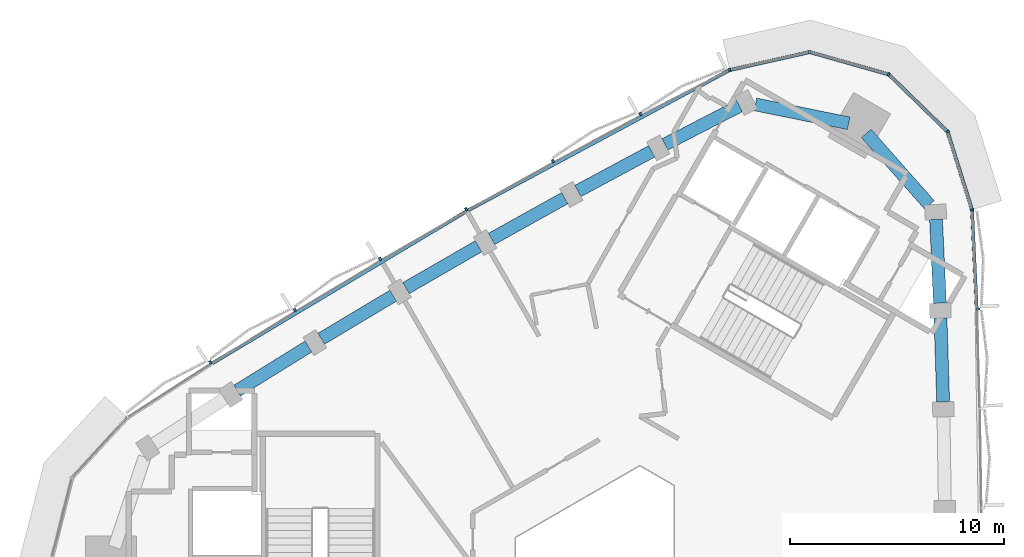
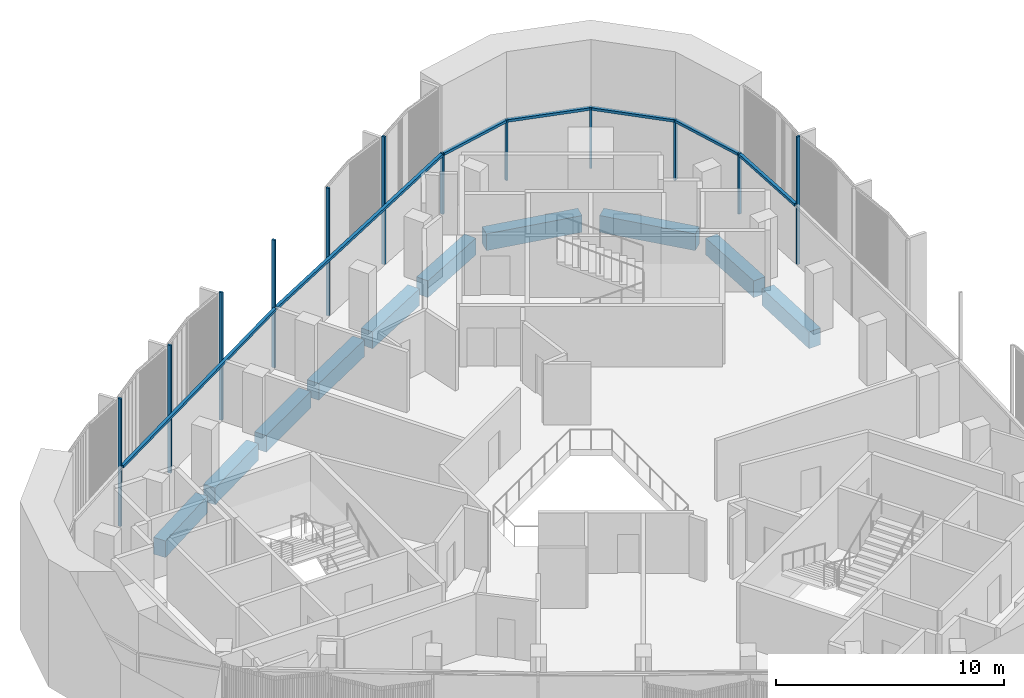
# One storey, part 4 of 13: 19 members, 10 beams, 2 elements without a shape of their own.
"""IFC4 building model written with IfcOpenShell, lengths in metres."""

from ifc_helpers import new_model, si_unit, direction, frame, origin, origin_2d, place, context, subcontext, project, spatial, rectangle, extrude, material, material_profile, profile_set, type_object, element, aggregate, save


model = new_model("IFC4")

# Units and contexts
model_context = context("Model", 3, precision=1e-05, world=origin(), true_north=direction((0.0, 1.0)))
body_context = subcontext(model_context, "Body", "Model", "MODEL_VIEW")
ifc_project = project(units=[si_unit("LENGTHUNIT", "METRE"), si_unit("AREAUNIT", "SQUARE_METRE"), si_unit("VOLUMEUNIT", "CUBIC_METRE"), si_unit("PLANEANGLEUNIT", "RADIAN"), si_unit("MASSUNIT", "GRAM", prefix="KILO")], contexts=[model_context])

# Site, building, storey
site_placement = place(None, origin())
site = spatial("IfcSite", under=ifc_project, at=site_placement, CompositionType="ELEMENT")
building_placement = place(site_placement, origin())
building = spatial("IfcBuilding", under=site, at=building_placement, Name="Tamra Quay Hotel Tower", CompositionType="ELEMENT")
storey_placement = place(building_placement, frame((0.0, 0.0, 291.0)))
storey = spatial("IfcBuildingStorey", under=building, at=storey_placement, Name="L73", CompositionType="ELEMENT", Elevation=291.0)

# Curtain wall, members
ifc_material_1 = material(Name="Aluminium 6063 anodised dark grey", Category="aluminium")
curtain_wall_type_1 = type_object("IfcCurtainWallType", Name="CW1 CURTAIN WALL", PredefinedType="NOTDEFINED", material=ifc_material_1)
curtain_wall_1_placement = place(storey_placement, origin())
curtain_wall_1 = element("IfcCurtainWall", 1, at=curtain_wall_1_placement, inside=storey, type_object=curtain_wall_type_1, Name="CW1 east face L73", PredefinedType="NOTDEFINED")
ifc_material_profile_1 = material_profile(ifc_material_1, rectangle(XDim=0.159912109375, YDim=0.10009765625, at=origin_2d()), Name="MULLION 100X160")
ifc_profile_set_1 = profile_set([ifc_material_profile_1], Name="Aluminium 6063 anodised dark grey")
member_type_1 = type_object("IfcMemberType", Name="MULLION CW1 Z6", PredefinedType="MULLION", material=ifc_profile_set_1)
member_1_placement = place(storey_placement, frame((17.19677734375, 11.583984375, 0.0), z_axis=(0.0, 0.0, 1.0), x_axis=(0.999237932992, 0.039032720501, 0.0)))
member_1 = element("IfcMember", 2, at=member_1_placement, type_object=member_type_1, Name="CW1 mullion L73.E.7", PredefinedType="MULLION", context=body_context, shape_type="SweptSolid", body=[
    extrude(rectangle(XDim=0.159912109375, YDim=0.10009765625, at=origin_2d()), origin(), (0.0, 0.0, 1.0), 6.85009765625),
])
member_2_placement = place(storey_placement, frame((16.89990234375, 16.210205078125, 0.0), z_axis=(0.0, 0.0, 1.0), x_axis=(0.984739919862, 0.174032440167, 0.0)))
member_2 = element("IfcMember", 3, at=member_2_placement, type_object=member_type_1, Name="CW1 mullion L73.E.8", PredefinedType="MULLION", context=body_context, shape_type="SweptSolid", body=[
    extrude(rectangle(XDim=0.159912109375, YDim=0.10009765625, at=origin_2d()), origin(), (0.0, 0.0, 1.0), 3.25),
])
member_3_placement = place(storey_placement, frame((15.757080078125, 19.865966796875, 0.0), z_axis=(0.0, 0.0, 1.0), x_axis=(0.851964184595, 0.523600065094, 0.0)))
member_3 = element("IfcMember", 4, at=member_3_placement, type_object=member_type_1, Name="CW1 mullion L73.E.9", PredefinedType="MULLION", context=body_context, shape_type="SweptSolid", body=[
    extrude(rectangle(XDim=0.159912109375, YDim=0.10009765625, at=origin_2d()), origin(), (0.0, 0.0, 1.0), 3.25),
])
member_4_placement = place(storey_placement, frame((13.01171875, 22.536865234375, 0.0), z_axis=(0.0, 0.0, 1.0), x_axis=(0.5, 0.866025403784, 0.0)))
member_4 = element("IfcMember", 5, at=member_4_placement, type_object=member_type_1, Name="CW1 mullion L73.E.10", PredefinedType="MULLION", context=body_context, shape_type="SweptSolid", body=[
    extrude(rectangle(XDim=0.159912109375, YDim=0.10009765625, at=origin_2d()), origin(), (0.0, 0.0, 1.0), 3.25),
])
member_5_placement = place(storey_placement, frame((9.325927734375, 23.578857421875, 0.0), z_axis=(0.0, 0.0, 1.0), x_axis=(0.027468865497, 0.999622659521, 0.0)))
member_5 = element("IfcMember", 6, at=member_5_placement, type_object=member_type_1, Name="CW1 mullion L73.E.11", PredefinedType="MULLION", context=body_context, shape_type="SweptSolid", body=[
    extrude(rectangle(XDim=0.159912109375, YDim=0.10009765625, at=origin_2d()), origin(), (0.0, 0.0, 1.0), 3.25),
])

curtain_wall_type_2 = type_object("IfcCurtainWallType", Name="CW2 CURTAIN WALL", PredefinedType="NOTDEFINED", material=ifc_material_1)
curtain_wall_2_placement = place(storey_placement, origin())
curtain_wall_2 = element("IfcCurtainWall", 7, at=curtain_wall_2_placement, inside=storey, type_object=curtain_wall_type_2, Name="CW2 north-west face L73", PredefinedType="NOTDEFINED")
ifc_material_profile_2 = material_profile(ifc_material_1, rectangle(XDim=0.159912109375, YDim=0.10009765625, at=origin_2d()), Name="MULLION 100X160")
ifc_profile_set_2 = profile_set([ifc_material_profile_2], Name="Aluminium 6063 anodised dark grey")
member_type_2 = type_object("IfcMemberType", Name="MULLION CW2 Z6", PredefinedType="MULLION", material=ifc_profile_set_2)
member_6_placement = place(storey_placement, frame((5.588623046875, 22.740966796875, 0.0), z_axis=(0.0, 0.0, 1.0), x_axis=(-0.341653445664, 0.939826006804, 0.0)))
member_6 = element("IfcMember", 8, at=member_6_placement, type_object=member_type_2, Name="CW2 mullion L73.NW.1", PredefinedType="MULLION", context=body_context, shape_type="SweptSolid", body=[
    extrude(rectangle(XDim=0.159912109375, YDim=0.10009765625, at=origin_2d()), origin(), (0.0, 0.0, 1.0), 3.25),
])
member_7_placement = place(storey_placement, frame((1.43359375, 20.684814453125, 0.0), z_axis=(0.0, 0.0, 1.0), x_axis=(-0.465815638963, 0.884881794647, 0.0)))
member_7 = element("IfcMember", 9, at=member_7_placement, type_object=member_type_2, Name="CW2 mullion L73.NW.2", PredefinedType="MULLION", context=body_context, shape_type="SweptSolid", body=[
    extrude(rectangle(XDim=0.159912109375, YDim=0.10009765625, at=origin_2d()), origin(), (0.0, 0.0, 1.0), 6.85009765625),
])
member_8_placement = place(storey_placement, frame((-2.650146484375, 18.494384765625, 0.0), z_axis=(0.0, 0.0, 1.0), x_axis=(-0.479564906203, 0.877506410654, 0.0)))
member_8 = element("IfcMember", 10, at=member_8_placement, type_object=member_type_2, Name="CW2 mullion L73.NW.3", PredefinedType="MULLION", context=body_context, shape_type="SweptSolid", body=[
    extrude(rectangle(XDim=0.159912109375, YDim=0.10009765625, at=origin_2d()), origin(), (0.0, 0.0, 1.0), 6.85009765625),
])
member_9_placement = place(storey_placement, frame((-6.699951171875, 16.23974609375, 0.0), z_axis=(0.0, 0.0, 1.0), x_axis=(-0.493215493305, 0.869907165831, 0.0)))
member_9 = element("IfcMember", 11, at=member_9_placement, type_object=member_type_2, Name="CW2 mullion L73.NW.4", PredefinedType="MULLION", context=body_context, shape_type="SweptSolid", body=[
    extrude(rectangle(XDim=0.159912109375, YDim=0.10009765625, at=origin_2d()), origin(), (0.0, 0.0, 1.0), 6.85009765625),
])
member_10_placement = place(storey_placement, frame((-10.714111328125, 13.92236328125, 0.0), z_axis=(0.0, 0.0, 1.0), x_axis=(-0.506753957891, 0.862090729658, 0.0)))
member_10 = element("IfcMember", 12, at=member_10_placement, type_object=member_type_2, Name="CW2 mullion L73.NW.5", PredefinedType="MULLION", context=body_context, shape_type="SweptSolid", body=[
    extrude(rectangle(XDim=0.159912109375, YDim=0.10009765625, at=origin_2d()), origin(), (0.0, 0.0, 1.0), 6.85009765625),
])
member_11_placement = place(storey_placement, frame((-14.691650390625, 11.542236328125, 0.0), z_axis=(0.0, 0.0, 1.0), x_axis=(-0.520160390508, 0.854068596862, 0.0)))
member_11 = element("IfcMember", 13, at=member_11_placement, type_object=member_type_2, Name="CW2 mullion L73.NW.6", PredefinedType="MULLION", context=body_context, shape_type="SweptSolid", body=[
    extrude(rectangle(XDim=0.159912109375, YDim=0.10009765625, at=origin_2d()), origin(), (0.0, 0.0, 1.0), 6.85009765625),
])
member_12_placement = place(storey_placement, frame((-18.630615234375, 9.100830078125, 0.0), z_axis=(0.0, 0.0, 1.0), x_axis=(-0.533422294029, 0.845849074146, 0.0)))
member_12 = element("IfcMember", 14, at=member_12_placement, type_object=member_type_2, Name="CW2 mullion L73.NW.7", PredefinedType="MULLION", context=body_context, shape_type="SweptSolid", body=[
    extrude(rectangle(XDim=0.159912109375, YDim=0.10009765625, at=origin_2d()), origin(), (0.0, 0.0, 1.0), 6.85009765625),
])

# Beams
ifc_material_2 = material(Name="Concrete M60", Category="concrete")
ifc_material_profile_3 = material_profile(ifc_material_2, rectangle(XDim=0.60009765625, YDim=0.89990234375, at=origin_2d()), Name="SPANDREL BEAM RC 600x900")
ifc_profile_set_3 = profile_set([ifc_material_profile_3], Name="Concrete M60")
beam_type = type_object("IfcBeamType", Name="SPANDREL BEAM RC 600x900", PredefinedType="SPANDREL", material=ifc_profile_set_3)
beam_1_placement = place(storey_placement, frame((15.55126953125, 7.259765625, -0.800048828125), z_axis=(-0.031240604276, 0.999511893198, 0.0), x_axis=(-0.999511893198, -0.031240604276, 0.0)))
element("IfcBeam", 15, at=beam_1_placement, inside=storey, type_object=beam_type, Name="BM-SP6-005-L73", PredefinedType="SPANDREL", context=body_context, shape_type="SweptSolid", body=[
    extrude(rectangle(XDim=0.60009765625, YDim=0.89990234375, at=origin_2d()), origin(), (0.0, 0.0, 1.0), 3.907470703125),
])
beam_2_placement = place(storey_placement, frame((15.40185546875, 11.86474609375, -0.800048828125), z_axis=(-0.04680507522, 0.998904041905, 0.0), x_axis=(-0.998904041905, -0.04680507522, 0.0)))
element("IfcBeam", 16, at=beam_2_placement, inside=storey, type_object=beam_type, Name="BM-SP6-006-L73", PredefinedType="SPANDREL", context=body_context, shape_type="SweptSolid", body=[
    extrude(rectangle(XDim=0.60009765625, YDim=0.89990234375, at=origin_2d()), origin(), (0.0, 0.0, 1.0), 3.906982421875),
])
beam_3_placement = place(storey_placement, frame((14.9072265625, 16.451171875, -0.800048828125), z_axis=(-0.661856103448, 0.749630908066, 0.0), x_axis=(-0.749630908066, -0.661856103448, 0.0)))
element("IfcBeam", 17, at=beam_3_placement, inside=storey, type_object=beam_type, Name="BM-SP6-007-L73", PredefinedType="SPANDREL", context=body_context, shape_type="SweptSolid", body=[
    extrude(rectangle(XDim=0.60009765625, YDim=0.89990234375, at=origin_2d()), origin(), (0.0, 0.0, 1.0), 4.44189453125),
])
beam_4_placement = place(storey_placement, frame((11.146728515625, 20.25439453125, -0.800048828125), z_axis=(-0.980114952618, 0.198430541133, 0.0), x_axis=(-0.198430541133, -0.980114952618, 0.0)))
element("IfcBeam", 18, at=beam_4_placement, inside=storey, type_object=beam_type, Name="BM-SP6-008-L73", PredefinedType="SPANDREL", context=body_context, shape_type="SweptSolid", body=[
    extrude(rectangle(XDim=0.60009765625, YDim=0.89990234375, at=origin_2d()), origin(), (0.0, 0.0, 1.0), 4.441650390625),
])
beam_5_placement = place(storey_placement, frame((6.04541015625, 21.063720703125, -0.800048828125), z_axis=(-0.888476019227, -0.458923047208, 0.0), x_axis=(0.458923047208, -0.888476019227, 0.0)))
element("IfcBeam", 19, at=beam_5_placement, inside=storey, type_object=beam_type, Name="BM-SP6-009-L73", PredefinedType="SPANDREL", context=body_context, shape_type="SweptSolid", body=[
    extrude(rectangle(XDim=0.60009765625, YDim=0.89990234375, at=origin_2d()), origin(), (0.0, 0.0, 1.0), 3.906982421875),
])
beam_6_placement = place(storey_placement, frame((1.954833984375, 18.944580078125, -0.800048828125), z_axis=(-0.88123835064, -0.472672158437, 0.0), x_axis=(0.472672158437, -0.88123835064, 0.0)))
element("IfcBeam", 20, at=beam_6_placement, inside=storey, type_object=beam_type, Name="BM-SP6-010-L73", PredefinedType="SPANDREL", context=body_context, shape_type="SweptSolid", body=[
    extrude(rectangle(XDim=0.60009765625, YDim=0.89990234375, at=origin_2d()), origin(), (0.0, 0.0, 1.0), 3.907470703125),
])
for number, where, z_axis, x_axis, name in (
    (21, (-2.102783203125, 16.761962890625, -0.800048828125), (-0.873726581477, -0.486417373066, 0.0), (0.486417373066, -0.873726581477, 0.0), "BM-SP6-011-L73"),
    (22, (-6.125244140625, 14.516357421875, -0.800048828125), (-0.866011803689, -0.500023555316, 0.0), (0.500023555316, -0.866011803689, 0.0), "BM-SP6-012-L73"),
):
    element("IfcBeam", number, at=place(storey_placement, frame(where, z_axis=z_axis, x_axis=x_axis)), inside=storey, type_object=beam_type, Name=name, PredefinedType="SPANDREL", context=body_context, shape_type="SweptSolid", body=[
        extrude(rectangle(XDim=0.60009765625, YDim=0.89990234375, at=origin_2d()), origin(), (0.0, 0.0, 1.0), 3.906982421875),
    ])
beam_7_placement = place(storey_placement, frame((-10.1123046875, 12.2080078125, -0.800048828125), z_axis=(-0.858120821909, -0.513447811376, 0.0), x_axis=(0.513447811376, -0.858120821909, 0.0)))
element("IfcBeam", 23, at=beam_7_placement, inside=storey, type_object=beam_type, Name="BM-SP6-013-L73", PredefinedType="SPANDREL", context=body_context, shape_type="SweptSolid", body=[
    extrude(rectangle(XDim=0.60009765625, YDim=0.89990234375, at=origin_2d()), origin(), (0.0, 0.0, 1.0), 3.9072265625),
])
beam_8_placement = place(storey_placement, frame((-14.062744140625, 9.837890625, -0.800048828125), z_axis=(-0.849972078006, -0.526827739029, 0.0), x_axis=(0.526827739029, -0.849972078006, 0.0)))
element("IfcBeam", 24, at=beam_8_placement, inside=storey, type_object=beam_type, Name="BM-SP6-014-L73", PredefinedType="SPANDREL", context=body_context, shape_type="SweptSolid", body=[
    extrude(rectangle(XDim=0.60009765625, YDim=0.89990234375, at=origin_2d()), origin(), (0.0, 0.0, 1.0), 3.907470703125),
])

# Member
ifc_material_profile_4 = material_profile(ifc_material_1, rectangle(XDim=0.159912109375, YDim=0.139892578125, at=origin_2d()), Name="TRANSOM 160X140")
ifc_profile_set_4 = profile_set([ifc_material_profile_4], Name="Aluminium 6063 anodised dark grey")
member_type_3 = type_object("IfcMemberType", Name="TRANSOM CW1 Z6", PredefinedType="USERDEFINED", material=ifc_profile_set_4)
member_13_placement = place(storey_placement, frame((17.114501953125, 11.630859375, 3.179931640625), z_axis=(-0.046787491417, 0.998904865664, 0.0), x_axis=(-0.998904865664, -0.046787491417, 0.0)))
member_13 = element("IfcMember", 25, at=member_13_placement, type_object=member_type_3, Name="CW1 transom L73.E.7", ObjectType="TRANSOM", PredefinedType="USERDEFINED", context=body_context, shape_type="SweptSolid", body=[
    extrude(rectangle(XDim=0.159912109375, YDim=0.139892578125, at=origin_2d()), origin(), (0.0, 0.0, 1.0), 4.534423828125),
])

member_14_placement = place(storey_placement, frame((16.885009765625, 16.258056640625, 3.179931640625), z_axis=(-0.298383063983, 0.95444619918, 0.0), x_axis=(-0.95444619918, -0.298383063983, 0.0)))
member_14 = element("IfcMember", 26, at=member_14_placement, type_object=member_type_3, Name="CW1 transom L73.E.8", ObjectType="TRANSOM", PredefinedType="USERDEFINED", context=body_context, shape_type="SweptSolid", body=[
    extrude(rectangle(XDim=0.159912109375, YDim=0.139892578125, at=origin_2d()), origin(), (0.0, 0.0, 1.0), 3.730224609375),
])

member_15_placement = place(storey_placement, frame((15.72119140625, 19.90087890625, 3.179931640625), z_axis=(-0.716759527702, 0.697320428102, 0.0), x_axis=(-0.697320428102, -0.716759527702, 0.0)))
member_15 = element("IfcMember", 27, at=member_15_placement, type_object=member_type_3, Name="CW1 transom L73.E.9", ObjectType="TRANSOM", PredefinedType="USERDEFINED", context=body_context, shape_type="SweptSolid", body=[
    extrude(rectangle(XDim=0.159912109375, YDim=0.139892578125, at=origin_2d()), origin(), (0.0, 0.0, 1.0), 3.72998046875),
])

member_16_placement = place(storey_placement, frame((12.963623046875, 22.550537109375, 3.179931640625), z_axis=(-0.9622784918, 0.272066359955, 0.0), x_axis=(-0.272066359955, -0.9622784918, 0.0)))
member_16 = element("IfcMember", 28, at=member_16_placement, type_object=member_type_3, Name="CW1 transom L73.E.10", ObjectType="TRANSOM", PredefinedType="USERDEFINED", context=body_context, shape_type="SweptSolid", body=[
    extrude(rectangle(XDim=0.159912109375, YDim=0.139892578125, at=origin_2d()), origin(), (0.0, 0.0, 1.0), 3.730224609375),
])

member_17_placement = place(storey_placement, frame((9.277099609375, 23.568115234375, 3.179931640625), z_axis=(-0.975757055509, -0.218856502356, 0.0), x_axis=(0.218856502356, -0.975757055509, 0.0)))
member_17 = element("IfcMember", 29, at=member_17_placement, type_object=member_type_3, Name="CW1 transom L73.E.11", ObjectType="TRANSOM", PredefinedType="USERDEFINED", context=body_context, shape_type="SweptSolid", body=[
    extrude(rectangle(XDim=0.159912109375, YDim=0.139892578125, at=origin_2d()), origin(), (0.0, 0.0, 1.0), 3.730224609375),
])

aggregate(curtain_wall_1, [member_1, member_13, member_2, member_14, member_3, member_15, member_4, member_16, member_5, member_17])

ifc_material_profile_5 = material_profile(ifc_material_1, rectangle(XDim=0.159912109375, YDim=0.139892578125, at=origin_2d()), Name="TRANSOM 160X140")
ifc_profile_set_5 = profile_set([ifc_material_profile_5], Name="Aluminium 6063 anodised dark grey")
member_type_4 = type_object("IfcMemberType", Name="TRANSOM CW2 Z6", PredefinedType="USERDEFINED", material=ifc_profile_set_5)
member_18_placement = place(storey_placement, frame((5.544189453125, 22.718017578125, 3.179931640625), z_axis=(-0.881218148164, -0.472709821504, 0.0), x_axis=(0.472709821504, -0.881218148164, 0.0)))
member_18 = element("IfcMember", 30, at=member_18_placement, type_object=member_type_4, Name="CW2 transom L73.NW.1", ObjectType="TRANSOM", PredefinedType="USERDEFINED", context=body_context, shape_type="SweptSolid", body=[
    extrude(rectangle(XDim=0.159912109375, YDim=0.139892578125, at=origin_2d()), origin(), (0.0, 0.0, 1.0), 13.800048828125),
])

member_19_placement = place(storey_placement, frame((-6.703857421875, 16.145263671875, 3.179931640625), z_axis=(-0.858107364644, -0.513470301715, 0.0), x_axis=(0.513470301715, -0.858107364644, 0.0)))
member_19 = element("IfcMember", 31, at=member_19_placement, type_object=member_type_4, Name="CW2 transom L73.NW.4", ObjectType="TRANSOM", PredefinedType="USERDEFINED", context=body_context, shape_type="SweptSolid", body=[
    extrude(rectangle(XDim=0.159912109375, YDim=0.139892578125, at=origin_2d()), origin(), (0.0, 0.0, 1.0), 13.799560546875),
])

aggregate(curtain_wall_2, [member_6, member_18, member_7, member_8, member_9, member_19, member_10, member_11, member_12])

save(model, "model.ifc")
